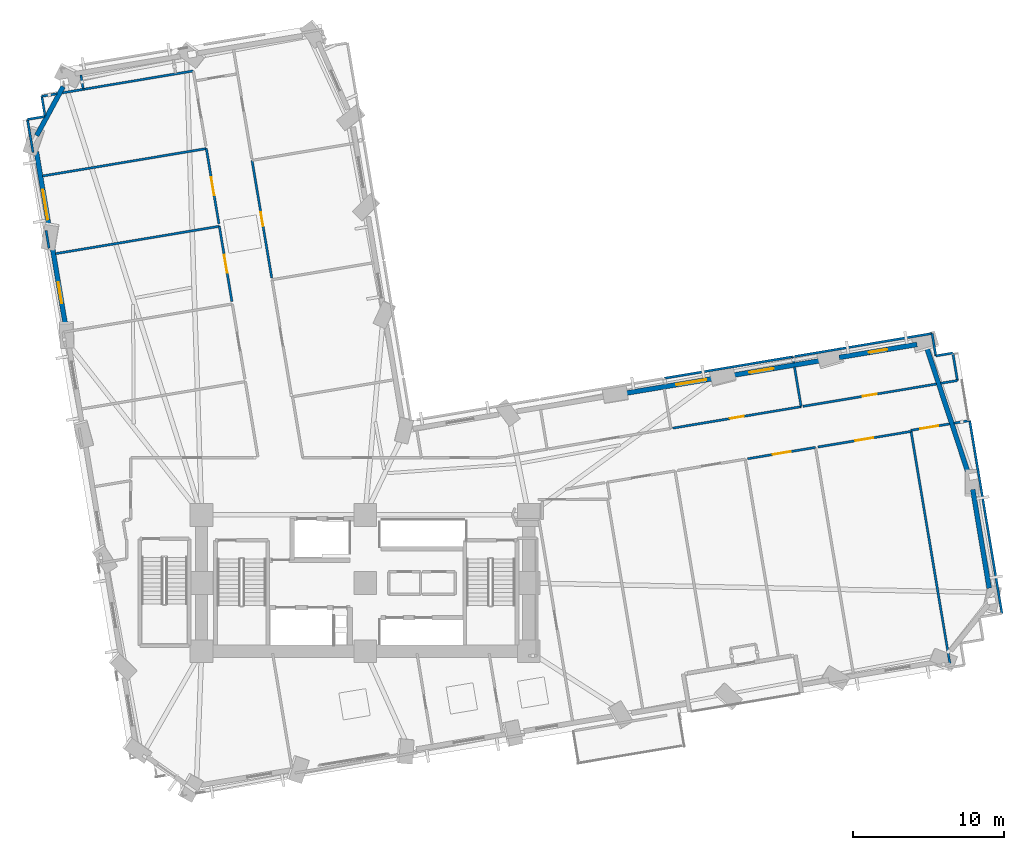
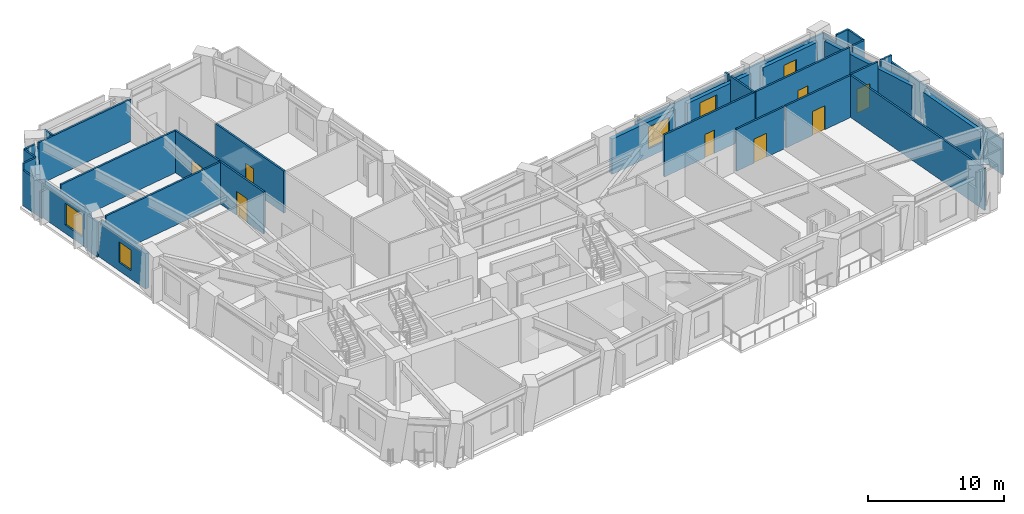
# One storey, part 11 of 16: 36 walls, 8 doors, 5 windows, 13 openings.
"""IFC4 building model written with IfcOpenShell, lengths in metres."""

from ifc_helpers import new_model, si_unit, direction, frame, frame_2d, origin, place, context, subcontext, project, spatial, rectangle, extrude, material, layer, layer_set, type_object, element, fill, save


model = new_model("IFC4")

# Units and contexts
model_context = context("Model", 3, precision=1e-05, world=origin(), true_north=direction((0.0, 1.0)))
body_context = subcontext(model_context, "Body", "Model", "MODEL_VIEW")
ifc_project = project(units=[si_unit("LENGTHUNIT", "METRE"), si_unit("AREAUNIT", "SQUARE_METRE"), si_unit("VOLUMEUNIT", "CUBIC_METRE"), si_unit("PLANEANGLEUNIT", "RADIAN"), si_unit("MASSUNIT", "GRAM", prefix="KILO")], contexts=[model_context])

# Site, building, storey
site_placement = place(None, origin())
site = spatial("IfcSite", under=ifc_project, at=site_placement, CompositionType="ELEMENT")
building_placement = place(site_placement, origin())
building = spatial("IfcBuilding", under=site, at=building_placement, Name="Gaonmaruhae Medical Tower", CompositionType="ELEMENT")
storey_placement = place(building_placement, frame((0.0, 0.0, 63.0)))
storey = spatial("IfcBuildingStorey", under=building, at=storey_placement, Name="L14", CompositionType="ELEMENT", Elevation=63.0)

# Walls
ifc_material_1 = material(Name="Precast concrete C45/55", Category="concrete")
ifc_layer_1 = layer(ifc_material_1, 0.320068359375)
ifc_layer_set_1 = layer_set([ifc_layer_1], Name="Precast concrete C45/55")
wall_type_1 = type_object("IfcWallType", Name="EW-320 Lower Precast Masonry-Frame Facade Wall", PredefinedType="SOLIDWALL", material=ifc_layer_set_1)
wall_1_placement = place(storey_placement, frame((64.922607421875, 18.47998046875, 0.0), z_axis=(0.0, 0.0, 1.0), x_axis=(0.165057772246, -0.986283900214, 0.0)))
element("IfcWall", 1, at=wall_1_placement, inside=storey, type_object=wall_type_1, Name="L14 Precast Masonry-Frame Wall E01-E02", PredefinedType="SOLIDWALL", context=body_context, shape_type="SweptSolid", body=[
    extrude(rectangle(XDim=6.610107421875, YDim=0.320068359375, at=frame_2d((3.30517578125, 0.0))), origin(), (0.0, 0.0, 1.0), 3.1650390625),
])
wall_2_placement = place(storey_placement, frame((61.90185546875, 27.791259765625, 0.0), z_axis=(0.0, 0.0, 1.0), x_axis=(0.313820376778, -0.949482370094, 0.0)))
element("IfcWall", 2, at=wall_2_placement, inside=storey, type_object=wall_type_1, Name="L14 Precast Masonry-Frame Wall E02-E03", PredefinedType="SOLIDWALL", context=body_context, shape_type="SweptSolid", body=[
    extrude(rectangle(XDim=8.613525390625, YDim=0.320068359375, at=frame_2d((4.306640625, 0.0))), origin(), (0.0, 0.0, 1.0), 3.1650390625),
])

# Wall, opening, window
wall_3_placement = place(storey_placement, frame((56.1025390625, 27.197021484375, 0.0), z_axis=(0.0, 0.0, 1.0), x_axis=(0.986289857367, 0.165022172011, 0.0)))
wall_3 = element("IfcWall", 3, at=wall_3_placement, inside=storey, type_object=wall_type_1, Name="L14 Precast Masonry-Frame Wall E03-EN01", PredefinedType="SOLIDWALL", context=body_context, shape_type="SweptSolid", body=[
    extrude(rectangle(XDim=5.209228515625, YDim=0.320068359375, at=frame_2d((2.6044921875, 0.0))), origin(), (0.0, 0.0, 1.0), 3.1650390625),
])
opening_1_placement = place(wall_3_placement, frame((2.000244140625, 0.0, 0.75)))
opening_1 = element("IfcOpeningElement", 4, at=opening_1_placement, cuts=wall_3, Name="Opening WN-05", PredefinedType="OPENING", context=body_context, shape_type="SweptSolid", body=[
    extrude(rectangle(XDim=1.199951171875, YDim=1.75, at=frame_2d((0.60009765625, 0.875))), frame((0.0, 0.169921875, 0.0), z_axis=(0.0, -1.0, 0.0), x_axis=(1.0, 0.0, 0.0)), (0.0, 0.0, 1.0), 0.340087890625),
])
ifc_material_2 = material(Name="Anodised aluminium and Low-E double glazing", Category="aluminium")
window_type_1 = type_object("IfcWindowType", Name="WN-05 Support & Staff Punched Window 1200x1750", PartitioningType="SINGLE_PANEL", PredefinedType="WINDOW", material=ifc_material_2)
window_1_placement = place(opening_1_placement, origin())
window_1 = element("IfcWindow", 5, at=window_1_placement, inside=storey, type_object=window_type_1, Name="L14 Modular Facade Window E03", OverallHeight=1.75, OverallWidth=1.199951171875, PartitioningType="SINGLE_PANEL", PredefinedType="WINDOW", context=body_context, shape_type="SweptSolid", body=[
    extrude(rectangle(XDim=1.199951171875, YDim=1.75, at=frame_2d((0.60009765625, 0.875))), frame((0.0, 0.030029296875, 0.0), z_axis=(0.0, -1.0, 0.0), x_axis=(1.0, 0.0, 0.0)), (0.0, 0.0, 1.0), 0.06005859375),
])
fill(opening_1, window_1)

wall_4_placement = place(storey_placement, frame((49.01708984375, 26.01123046875, 0.0), z_axis=(0.0, 0.0, 1.0), x_axis=(0.98628307528, 0.165062701468, 0.0)))
wall_4 = element("IfcWall", 6, at=wall_4_placement, inside=storey, type_object=wall_type_1, Name="L14 Precast Masonry-Frame Wall EN01-EN02", PredefinedType="SOLIDWALL", context=body_context, shape_type="SweptSolid", body=[
    extrude(rectangle(XDim=6.024169921875, YDim=0.320068359375, at=frame_2d((3.01220703125, 0.0))), origin(), (0.0, 0.0, 1.0), 3.1650390625),
])
opening_2_placement = place(wall_4_placement, frame((1.18310546875, 0.0, 0.75)))
opening_2 = element("IfcOpeningElement", 7, at=opening_2_placement, cuts=wall_4, Name="Opening WN-01", PredefinedType="OPENING", context=body_context, shape_type="SweptSolid", body=[
    extrude(rectangle(XDim=1.60009765625, YDim=1.949951171875, at=frame_2d((0.800048828125, 0.97509765625))), frame((0.0, 0.169921875, 0.0), z_axis=(0.0, -1.0, 0.0), x_axis=(1.0, 0.0, 0.0)), (0.0, 0.0, 1.0), 0.340087890625),
])
window_type_2 = type_object("IfcWindowType", Name="WN-01 Ward Punched Acoustic Window 1600x1950", PartitioningType="SINGLE_PANEL", PredefinedType="WINDOW", material=ifc_material_2)
window_2_placement = place(opening_2_placement, origin())
window_2 = element("IfcWindow", 8, at=window_2_placement, inside=storey, type_object=window_type_2, Name="L14 Modular Facade Window EN01", OverallHeight=1.949951171875, OverallWidth=1.60009765625, PartitioningType="SINGLE_PANEL", PredefinedType="WINDOW", context=body_context, shape_type="SweptSolid", body=[
    extrude(rectangle(XDim=1.60009765625, YDim=1.949951171875, at=frame_2d((0.800048828125, 0.97509765625))), frame((0.0, 0.030029296875, 0.0), z_axis=(0.0, -1.0, 0.0), x_axis=(1.0, 0.0, 0.0)), (0.0, 0.0, 1.0), 0.06005859375),
])
fill(opening_2, window_2)

wall_5_placement = place(storey_placement, frame((41.92529296875, 24.824462890625, 0.0), z_axis=(0.0, 0.0, 1.0), x_axis=(0.986285933786, 0.165045620407, 0.0)))
wall_5 = element("IfcWall", 9, at=wall_5_placement, inside=storey, type_object=wall_type_1, Name="L14 Precast Masonry-Frame Wall EN02-EN03", PredefinedType="SOLIDWALL", context=body_context, shape_type="SweptSolid", body=[
    extrude(rectangle(XDim=5.999755859375, YDim=0.320068359375, at=frame_2d((3.0, 0.0))), origin(), (0.0, 0.0, 1.0), 3.1650390625),
])
opening_3_placement = place(wall_5_placement, frame((3.482421875, 0.0, 0.75)))
opening_3 = element("IfcOpeningElement", 10, at=opening_3_placement, cuts=wall_5, Name="Opening WN-02", PredefinedType="OPENING", context=body_context, shape_type="SweptSolid", body=[
    extrude(rectangle(XDim=2.0, YDim=1.949951171875, at=frame_2d((1.0, 0.97509765625))), frame((0.0, 0.169921875, 0.0), z_axis=(0.0, -1.0, 0.0), x_axis=(1.0, 0.0, 0.0)), (0.0, 0.0, 1.0), 0.340087890625),
])
window_type_3 = type_object("IfcWindowType", Name="WN-02 Double-Bed Ward Punched Window 2000x1950", PartitioningType="SINGLE_PANEL", PredefinedType="WINDOW", material=ifc_material_2)
window_3_placement = place(opening_3_placement, origin())
window_3 = element("IfcWindow", 11, at=window_3_placement, inside=storey, type_object=window_type_3, Name="L14 Modular Facade Window EN02", OverallHeight=1.949951171875, OverallWidth=2.0, PartitioningType="SINGLE_PANEL", PredefinedType="WINDOW", context=body_context, shape_type="SweptSolid", body=[
    extrude(rectangle(XDim=2.0, YDim=1.949951171875, at=frame_2d((1.0, 0.97509765625))), frame((0.0, 0.030029296875, 0.0), z_axis=(0.0, -1.0, 0.0), x_axis=(1.0, 0.0, 0.0)), (0.0, 0.0, 1.0), 0.06005859375),
])
fill(opening_3, window_3)

# Wall
wall_6_placement = place(storey_placement, frame((3.113037109375, 41.85302734375, 0.0), z_axis=(0.0, 0.0, 1.0), x_axis=(0.476012817588, 0.879438342064, 0.0)))
element("IfcWall", 12, at=wall_6_placement, inside=storey, type_object=wall_type_1, Name="L14 Precast Masonry-Frame Wall N03-W01", PredefinedType="SOLIDWALL", context=body_context, shape_type="SweptSolid", body=[
    extrude(rectangle(XDim=3.666015625, YDim=0.320068359375, at=frame_2d((1.8330078125, 0.0))), origin(), (0.0, 0.0, 1.0), 3.1650390625),
])

# Wall, opening, window
wall_7_placement = place(storey_placement, frame((3.957275390625, 35.622314453125, 0.0), z_axis=(0.0, 0.0, 1.0), x_axis=(-0.165050831886, 0.98628506168, 0.0)))
wall_7 = element("IfcWall", 13, at=wall_7_placement, inside=storey, type_object=wall_type_1, Name="L14 Precast Masonry-Frame Wall W01-W02", PredefinedType="SOLIDWALL", context=body_context, shape_type="SweptSolid", body=[
    extrude(rectangle(XDim=5.222900390625, YDim=0.320068359375, at=frame_2d((2.611328125, 0.0))), origin(), (0.0, 0.0, 1.0), 3.1650390625),
])
opening_4_placement = place(wall_7_placement, frame((0.689697265625, 0.0, 0.75)))
opening_4 = element("IfcOpeningElement", 14, at=opening_4_placement, cuts=wall_7, Name="Opening WN-02", PredefinedType="OPENING", context=body_context, shape_type="SweptSolid", body=[
    extrude(rectangle(XDim=2.0, YDim=1.949951171875, at=frame_2d((1.0, 0.97509765625))), frame((0.0, 0.169921875, 0.0), z_axis=(0.0, -1.0, 0.0), x_axis=(1.0, 0.0, 0.0)), (0.0, 0.0, 1.0), 0.340087890625),
])
window_4_placement = place(opening_4_placement, origin())
window_4 = element("IfcWindow", 15, at=window_4_placement, inside=storey, type_object=window_type_3, Name="L14 Modular Facade Window W01", OverallHeight=1.949951171875, OverallWidth=2.0, PartitioningType="SINGLE_PANEL", PredefinedType="WINDOW", context=body_context, shape_type="SweptSolid", body=[
    extrude(rectangle(XDim=2.0, YDim=1.949951171875, at=frame_2d((1.0, 0.97509765625))), frame((0.0, 0.030029296875, 0.0), z_axis=(0.0, -1.0, 0.0), x_axis=(1.0, 0.0, 0.0)), (0.0, 0.0, 1.0), 0.06005859375),
])
fill(opening_4, window_4)

wall_8_placement = place(storey_placement, frame((5.044921875, 29.1220703125, 0.0), z_axis=(0.0, 0.0, 1.0), x_axis=(-0.165007424724, 0.986292324712, 0.0)))
wall_8 = element("IfcWall", 16, at=wall_8_placement, inside=storey, type_object=wall_type_1, Name="L14 Precast Masonry-Frame Wall W02-W03", PredefinedType="SOLIDWALL", context=body_context, shape_type="SweptSolid", body=[
    extrude(rectangle(XDim=5.400390625, YDim=0.320068359375, at=frame_2d((2.7001953125, 0.0))), origin(), (0.0, 0.0, 1.0), 3.1650390625),
])
opening_5_placement = place(wall_8_placement, frame((1.68310546875, 0.0, 0.75)))
opening_5 = element("IfcOpeningElement", 17, at=opening_5_placement, cuts=wall_8, Name="Opening WN-03", PredefinedType="OPENING", context=body_context, shape_type="SweptSolid", body=[
    extrude(rectangle(XDim=1.39990234375, YDim=1.85009765625, at=frame_2d((0.699951171875, 0.925048828125))), frame((0.0, 0.169921875, 0.0), z_axis=(0.0, -1.0, 0.0), x_axis=(1.0, 0.0, 0.0)), (0.0, 0.0, 1.0), 0.340087890625),
])
window_type_4 = type_object("IfcWindowType", Name="WN-03 Isolation Ward Punched Window 1400x1850", PartitioningType="SINGLE_PANEL", PredefinedType="WINDOW", material=ifc_material_2)
window_5_placement = place(opening_5_placement, origin())
window_5 = element("IfcWindow", 18, at=window_5_placement, inside=storey, type_object=window_type_4, Name="L14 Modular Facade Window W02", OverallHeight=1.85009765625, OverallWidth=1.39990234375, PartitioningType="SINGLE_PANEL", PredefinedType="WINDOW", context=body_context, shape_type="SweptSolid", body=[
    extrude(rectangle(XDim=1.39990234375, YDim=1.85009765625, at=frame_2d((0.699951171875, 0.925048828125))), frame((0.0, 0.030029296875, 0.0), z_axis=(0.0, -1.0, 0.0), x_axis=(1.0, 0.0, 0.0)), (0.0, 0.0, 1.0), 0.06005859375),
])
fill(opening_5, window_5)

# Wall, opening, door
ifc_material_3 = material(Name="Gypsum board partition", Category="gypsum")
ifc_layer_2 = layer(ifc_material_3, 0.14990234375)
ifc_layer_set_2 = layer_set([ifc_layer_2], Name="Gypsum board partition")
wall_type_2 = type_object("IfcWallType", Name="PW-150 Rated Clinical Corridor Partition", PredefinedType="PARTITIONING", material=ifc_layer_set_2)
wall_9_placement = place(storey_placement, frame((50.05908203125, 20.508056640625, 0.0), z_axis=(0.0, 0.0, 1.0), x_axis=(0.98629783717, 0.164974471946, 0.0)))
wall_9 = element("IfcWall", 19, at=wall_9_placement, inside=storey, type_object=wall_type_2, Name="L14 Interior Partition L14-SUP10-35", PredefinedType="PARTITIONING", context=body_context, shape_type="SweptSolid", body=[
    extrude(rectangle(XDim=4.540283203125, YDim=0.14990234375, at=frame_2d((2.27001953125, 0.0))), origin(), (0.0, 0.0, 1.0), 3.780029296875),
])
opening_6_placement = place(wall_9_placement, frame((1.670166015625, 0.0, 0.0)))
opening_6 = element("IfcOpeningElement", 20, at=opening_6_placement, cuts=wall_9, Name="Opening CD-02", PredefinedType="OPENING", context=body_context, shape_type="SweptSolid", body=[
    extrude(rectangle(XDim=1.199951171875, YDim=2.14990234375, at=frame_2d((0.60009765625, 1.074951171875))), frame((0.0, 0.0849609375, 0.0), z_axis=(0.0, -1.0, 0.0), x_axis=(1.0, 0.0, 0.0)), (0.0, 0.0, 1.0), 0.169921875),
])
ifc_material_4 = material(Name="Antimicrobial laminate timber fire door", Category="wood")
door_type_1 = type_object("IfcDoorType", Name="CD-02 Clinical Treatment & Procedure Door 1200x2150", OperationType="NOTDEFINED", PredefinedType="DOOR", material=ifc_material_4)
door_1_placement = place(opening_6_placement, origin())
door_1 = element("IfcDoor", 21, at=door_1_placement, inside=storey, type_object=door_type_1, Name="L14 Clinical Biomedical Charting Office Door", OperationType="SINGLE_SWING_RIGHT", OverallHeight=2.14990234375, OverallWidth=1.199951171875, PredefinedType="DOOR", context=body_context, shape_type="SweptSolid", body=[
    extrude(rectangle(XDim=1.199951171875, YDim=2.14990234375, at=frame_2d((0.60009765625, 1.074951171875))), frame((0.0, 0.02490234375, 0.0), z_axis=(0.0, -1.0, 0.0), x_axis=(1.0, 0.0, 0.0)), (0.0, 0.0, 1.0), 0.050048828125),
])
fill(opening_6, door_1)

wall_10_placement = place(storey_placement, frame((54.695068359375, 21.282958984375, 0.0), z_axis=(0.0, 0.0, 1.0), x_axis=(0.986280538422, 0.165077858992, 0.0)))
wall_10 = element("IfcWall", 22, at=wall_10_placement, inside=storey, type_object=wall_type_2, Name="L14 Interior Partition L14-SUP11-38", PredefinedType="PARTITIONING", context=body_context, shape_type="SweptSolid", body=[
    extrude(rectangle(XDim=6.23974609375, YDim=0.14990234375, at=frame_2d((3.119873046875, 0.0))), origin(), (0.0, 0.0, 1.0), 3.780029296875),
])
opening_7_placement = place(wall_10_placement, frame((2.519775390625, 0.0, 0.0)))
opening_7 = element("IfcOpeningElement", 23, at=opening_7_placement, cuts=wall_10, Name="Opening CD-02", PredefinedType="OPENING", context=body_context, shape_type="SweptSolid", body=[
    extrude(rectangle(XDim=1.199951171875, YDim=2.14990234375, at=frame_2d((0.60009765625, 1.074951171875))), frame((0.0, 0.0849609375, 0.0), z_axis=(0.0, -1.0, 0.0), x_axis=(1.0, 0.0, 0.0)), (0.0, 0.0, 1.0), 0.169921875),
])
door_2_placement = place(opening_7_placement, origin())
door_2 = element("IfcDoor", 24, at=door_2_placement, inside=storey, type_object=door_type_1, Name="L14 Clinical Biomedical Charting Office Door", OperationType="SINGLE_SWING_LEFT", OverallHeight=2.14990234375, OverallWidth=1.199951171875, PredefinedType="DOOR", context=body_context, shape_type="SweptSolid", body=[
    extrude(rectangle(XDim=1.199951171875, YDim=2.14990234375, at=frame_2d((0.60009765625, 1.074951171875))), frame((0.0, 0.02490234375, 0.0), z_axis=(0.0, -1.0, 0.0), x_axis=(1.0, 0.0, 0.0)), (0.0, 0.0, 1.0), 0.050048828125),
])
fill(opening_7, door_2)

# Walls
wall_11_placement = place(storey_placement, frame((60.84912109375, 22.31298828125, 0.0), z_axis=(0.0, 0.0, 1.0), x_axis=(0.1650362801, -0.986287496753, 0.0)))
element("IfcWall", 25, at=wall_11_placement, inside=storey, type_object=wall_type_2, Name="L14 Interior Partition L14-SUP11-39", PredefinedType="PARTITIONING", context=body_context, shape_type="SweptSolid", body=[
    extrude(rectangle(XDim=15.52978515625, YDim=0.14990234375, at=frame_2d((7.764892578125, 0.0))), origin(), (0.0, 0.0, 1.0), 3.780029296875),
])
wall_12_placement = place(storey_placement, frame((4.35693359375, 34.050048828125, 0.0), z_axis=(0.0, 0.0, 1.0), x_axis=(0.986282376627, 0.165066876009, 0.0)))
element("IfcWall", 26, at=wall_12_placement, inside=storey, type_object=wall_type_2, Name="L14 Interior Partition L14-WOF15-56", PredefinedType="PARTITIONING", context=body_context, shape_type="SweptSolid", body=[
    extrude(rectangle(XDim=10.965576171875, YDim=0.14990234375, at=frame_2d((5.48291015625, 0.0))), origin(), (0.0, 0.0, 1.0), 3.780029296875),
])

# Wall, opening, door
wall_13_placement = place(storey_placement, frame((15.172119140625, 35.860107421875, 0.0), z_axis=(0.0, 0.0, 1.0), x_axis=(0.165027335267, -0.986288993457, 0.0)))
wall_13 = element("IfcWall", 27, at=wall_13_placement, inside=storey, type_object=wall_type_2, Name="L14 Interior Partition L14-WOF15-57", PredefinedType="PARTITIONING", context=body_context, shape_type="SweptSolid", body=[
    extrude(rectangle(XDim=5.040283203125, YDim=0.14990234375, at=frame_2d((2.52001953125, 0.0))), origin(), (0.0, 0.0, 1.0), 3.780029296875),
])
opening_8_placement = place(wall_13_placement, frame((1.920166015625, 0.0, 0.0)))
opening_8 = element("IfcOpeningElement", 28, at=opening_8_placement, cuts=wall_13, Name="Opening CD-02", PredefinedType="OPENING", context=body_context, shape_type="SweptSolid", body=[
    extrude(rectangle(XDim=1.199951171875, YDim=2.14990234375, at=frame_2d((0.60009765625, 1.074951171875))), frame((0.0, 0.0849609375, 0.0), z_axis=(0.0, -1.0, 0.0), x_axis=(1.0, 0.0, 0.0)), (0.0, 0.0, 1.0), 0.169921875),
])
door_3_placement = place(opening_8_placement, origin())
door_3 = element("IfcDoor", 29, at=door_3_placement, inside=storey, type_object=door_type_1, Name="L14 Ward Physician Reporting Office Door", OperationType="SINGLE_SWING_RIGHT", OverallHeight=2.14990234375, OverallWidth=1.199951171875, PredefinedType="DOOR", context=body_context, shape_type="SweptSolid", body=[
    extrude(rectangle(XDim=1.199951171875, YDim=2.14990234375, at=frame_2d((0.60009765625, 1.074951171875))), frame((0.0, 0.02490234375, 0.0), z_axis=(0.0, -1.0, 0.0), x_axis=(1.0, 0.0, 0.0)), (0.0, 0.0, 1.0), 0.050048828125),
])
fill(opening_8, door_3)

# Wall
wall_14_placement = place(storey_placement, frame((3.4990234375, 39.178955078125, 0.0), z_axis=(0.0, 0.0, 1.0), x_axis=(0.986281769972, 0.165070500758, 0.0)))
element("IfcWall", 30, at=wall_14_placement, inside=storey, type_object=wall_type_2, Name="L14 Interior Partition L14-WOF16-58", PredefinedType="PARTITIONING", context=body_context, shape_type="SweptSolid", body=[
    extrude(rectangle(XDim=10.96533203125, YDim=0.14990234375, at=frame_2d((5.482666015625, 0.0))), origin(), (0.0, 0.0, 1.0), 3.780029296875),
])

# Wall, opening, door
wall_15_placement = place(storey_placement, frame((14.31396484375, 40.989013671875, 0.0), z_axis=(0.0, 0.0, 1.0), x_axis=(0.16489385241, -0.986311318721, 0.0)))
wall_15 = element("IfcWall", 31, at=wall_15_placement, inside=storey, type_object=wall_type_2, Name="L14 Interior Partition L14-WOF16-59", PredefinedType="PARTITIONING", context=body_context, shape_type="SweptSolid", body=[
    extrude(rectangle(XDim=5.0400390625, YDim=0.14990234375, at=frame_2d((2.52001953125, 0.0))), origin(), (0.0, 0.0, 1.0), 3.780029296875),
])
opening_9_placement = place(wall_15_placement, frame((1.919921875, 0.0, 0.0)))
opening_9 = element("IfcOpeningElement", 32, at=opening_9_placement, cuts=wall_15, Name="Opening CD-02", PredefinedType="OPENING", context=body_context, shape_type="SweptSolid", body=[
    extrude(rectangle(XDim=1.199951171875, YDim=2.14990234375, at=frame_2d((0.60009765625, 1.074951171875))), frame((0.0, 0.0849609375, 0.0), z_axis=(0.0, -1.0, 0.0), x_axis=(1.0, 0.0, 0.0)), (0.0, 0.0, 1.0), 0.169921875),
])
door_4_placement = place(opening_9_placement, origin())
door_4 = element("IfcDoor", 33, at=door_4_placement, inside=storey, type_object=door_type_1, Name="L14 Ward Physician Reporting Office Door", OperationType="SINGLE_SWING_RIGHT", OverallHeight=2.14990234375, OverallWidth=1.199951171875, PredefinedType="DOOR", context=body_context, shape_type="SweptSolid", body=[
    extrude(rectangle(XDim=1.199951171875, YDim=2.14990234375, at=frame_2d((0.60009765625, 1.074951171875))), frame((0.0, 0.02490234375, 0.0), z_axis=(0.0, -1.0, 0.0), x_axis=(1.0, 0.0, 0.0)), (0.0, 0.0, 1.0), 0.050048828125),
])
fill(opening_9, door_4)

# Walls
wall_16_placement = place(storey_placement, frame((3.927001953125, 34.410888671875, 0.0), z_axis=(0.0, 0.0, 1.0), x_axis=(-0.164831702555, 0.986321707068, 0.0)))
element("IfcWall", 34, at=wall_16_placement, inside=storey, type_object=wall_type_2, Name="L14 Interior Partition L14-WOF16-60", PredefinedType="PARTITIONING", context=body_context, shape_type="SweptSolid", body=[
    extrude(rectangle(XDim=1.189453125, YDim=0.14990234375, at=frame_2d((0.5947265625, 0.0))), origin(), (0.0, 0.0, 1.0), 3.1650390625),
])
wall_17_placement = place(storey_placement, frame((3.445068359375, 44.44189453125, 0.0), z_axis=(0.0, 0.0, 1.0), x_axis=(0.986173301346, 0.165717288514, 0.0)))
element("IfcWall", 35, at=wall_17_placement, inside=storey, type_object=wall_type_2, Name="L14 Interior Partition L14-WOF17-61", PredefinedType="PARTITIONING", context=body_context, shape_type="SweptSolid", body=[
    extrude(rectangle(XDim=1.02099609375, YDim=0.14990234375, at=frame_2d((0.510498046875, 0.0))), origin(), (0.0, 0.0, 1.0), 3.780029296875),
])
wall_18_placement = place(storey_placement, frame((4.7900390625, 44.6669921875, 0.0), z_axis=(0.0, 0.0, 1.0), x_axis=(0.986268967524, 0.165146976051, 0.0)))
element("IfcWall", 36, at=wall_18_placement, inside=storey, type_object=wall_type_2, Name="L14 Interior Partition L14-WOF17-62", PredefinedType="PARTITIONING", context=body_context, shape_type="SweptSolid", body=[
    extrude(rectangle(XDim=8.78564453125, YDim=0.14990234375, at=frame_2d((4.392822265625, 0.0))), origin(), (0.0, 0.0, 1.0), 3.780029296875),
])
wall_19_placement = place(storey_placement, frame((2.868896484375, 40.736083984375, 0.0), z_axis=(0.0, 0.0, 1.0), x_axis=(-0.165133332046, 0.986271252064, 0.0)))
element("IfcWall", 37, at=wall_19_placement, inside=storey, type_object=wall_type_2, Name="L14 Interior Partition L14-WOF17-64", PredefinedType="PARTITIONING", context=body_context, shape_type="SweptSolid", body=[
    extrude(rectangle(XDim=2.210205078125, YDim=0.14990234375, at=frame_2d((1.10498046875, 0.0))), origin(), (0.0, 0.0, 1.0), 3.1650390625),
])
wall_20_placement = place(storey_placement, frame((2.50390625, 42.916015625, 0.0), z_axis=(0.0, 0.0, 1.0), x_axis=(0.986261618519, 0.165190858818, 0.0)))
element("IfcWall", 38, at=wall_20_placement, inside=storey, type_object=wall_type_2, Name="L14 Interior Partition L14-WOF17-65", PredefinedType="PARTITIONING", context=body_context, shape_type="SweptSolid", body=[
    extrude(rectangle(XDim=1.14990234375, YDim=0.14990234375, at=frame_2d((0.574951171875, 0.0))), origin(), (0.0, 0.0, 1.0), 3.780029296875),
])
wall_21_placement = place(storey_placement, frame((3.660888671875, 43.14892578125, 0.0), z_axis=(0.0, 0.0, 1.0), x_axis=(-0.164640597534, 0.986353625047, 0.0)))
element("IfcWall", 39, at=wall_21_placement, inside=storey, type_object=wall_type_2, Name="L14 Interior Partition L14-WOF17-66", PredefinedType="PARTITIONING", context=body_context, shape_type="SweptSolid", body=[
    extrude(rectangle(XDim=1.310791015625, YDim=0.14990234375, at=frame_2d((0.6552734375, 0.0))), origin(), (0.0, 0.0, 1.0), 3.780029296875),
])

# Wall, opening, door
wall_22_placement = place(storey_placement, frame((53.591064453125, 23.947998046875, 0.0), z_axis=(0.0, 0.0, 1.0), x_axis=(-0.986276285111, -0.165103268981, 0.0)))
wall_22 = element("IfcWall", 40, at=wall_22_placement, inside=storey, type_object=wall_type_2, Name="L14 Interior Partition L14-IE04-79", PredefinedType="PARTITIONING", context=body_context, shape_type="SweptSolid", body=[
    extrude(rectangle(XDim=8.60009765625, YDim=0.14990234375, at=frame_2d((4.300048828125, 0.0))), origin(), (0.0, 0.0, 1.0), 3.780029296875),
])
opening_10_placement = place(wall_22_placement, frame((3.840087890625, 0.0, 0.0)))
opening_10 = element("IfcOpeningElement", 41, at=opening_10_placement, cuts=wall_22, Name="Opening UD-01", PredefinedType="OPENING", context=body_context, shape_type="SweptSolid", body=[
    extrude(rectangle(XDim=0.919921875, YDim=2.10009765625, at=frame_2d((0.4599609375, 1.050048828125))), frame((0.0, 0.0849609375, 0.0), z_axis=(0.0, -1.0, 0.0), x_axis=(1.0, 0.0, 0.0)), (0.0, 0.0, 1.0), 0.169921875),
])
ifc_material_5 = material(Name="Powder-coated steel utility door", Category="steel")
door_type_2 = type_object("IfcDoorType", Name="UD-01 Toilet, Utility & Housekeeping Door 920x2100", OperationType="NOTDEFINED", PredefinedType="DOOR", material=ifc_material_5)
door_5_placement = place(opening_10_placement, origin())
door_5 = element("IfcDoor", 42, at=door_5_placement, inside=storey, type_object=door_type_2, Name="L14 Accessible Public Toilet Door", OperationType="SINGLE_SWING_LEFT", OverallHeight=2.10009765625, OverallWidth=0.919921875, PredefinedType="DOOR", context=body_context, shape_type="SweptSolid", body=[
    extrude(rectangle(XDim=0.919921875, YDim=2.10009765625, at=frame_2d((0.4599609375, 1.050048828125))), frame((0.0, 0.02490234375, 0.0), z_axis=(0.0, -1.0, 0.0), x_axis=(1.0, 0.0, 0.0)), (0.0, 0.0, 1.0), 0.050048828125),
])
fill(opening_10, door_5)

# Walls
wall_23_placement = place(storey_placement, frame((44.55810546875, 25.822998046875, 0.0), z_axis=(0.0, 0.0, 1.0), x_axis=(0.986293996802, 0.164997429895, 0.0)))
element("IfcWall", 43, at=wall_23_placement, inside=storey, type_object=wall_type_2, Name="L14 Interior Partition L14-IE04-81", PredefinedType="PARTITIONING", context=body_context, shape_type="SweptSolid", body=[
    extrude(rectangle(XDim=8.599853515625, YDim=0.14990234375, at=frame_2d((4.2998046875, 0.0))), origin(), (0.0, 0.0, 1.0), 3.1650390625),
])
wall_24_placement = place(storey_placement, frame((53.0400390625, 27.241943359375, 0.0), z_axis=(0.0, 0.0, 1.0), x_axis=(0.163730402307, -0.986505121812, 0.0)))
element("IfcWall", 44, at=wall_24_placement, inside=storey, type_object=wall_type_2, Name="L14 Interior Partition L14-IE04-82", PredefinedType="PARTITIONING", context=body_context, shape_type="SweptSolid", body=[
    extrude(rectangle(XDim=0.41455078125, YDim=0.14990234375, at=frame_2d((0.207275390625, 0.0))), origin(), (0.0, 0.0, 1.0), 3.780029296875),
])
wall_25_placement = place(storey_placement, frame((53.153076171875, 26.56591796875, 0.0), z_axis=(0.0, 0.0, 1.0), x_axis=(0.165010492381, -0.986291811486, 0.0)))
element("IfcWall", 45, at=wall_25_placement, inside=storey, type_object=wall_type_2, Name="L14 Interior Partition L14-IE04-83", PredefinedType="PARTITIONING", context=body_context, shape_type="SweptSolid", body=[
    extrude(rectangle(XDim=2.654296875, YDim=0.14990234375, at=frame_2d((1.3271484375, 0.0))), origin(), (0.0, 0.0, 1.0), 3.780029296875),
])
wall_26_placement = place(storey_placement, frame((62.48291015625, 27.301025390625, 0.0), z_axis=(0.0, 0.0, 1.0), x_axis=(0.98618490097, 0.165648245085, 0.0)))
element("IfcWall", 46, at=wall_26_placement, inside=storey, type_object=wall_type_2, Name="L14 Interior Partition L14-IE05-84", PredefinedType="PARTITIONING", context=body_context, shape_type="SweptSolid", body=[
    extrude(rectangle(XDim=1.140869140625, YDim=0.14990234375, at=frame_2d((0.5703125, 0.0))), origin(), (0.0, 0.0, 1.0), 3.780029296875),
])
wall_27_placement = place(storey_placement, frame((63.60791015625, 27.489990234375, 0.0), z_axis=(0.0, 0.0, 1.0), x_axis=(0.164657171807, -0.986350858352, 0.0)))
element("IfcWall", 47, at=wall_27_placement, inside=storey, type_object=wall_type_2, Name="L14 Interior Partition L14-IE05-85", PredefinedType="PARTITIONING", context=body_context, shape_type="SweptSolid", body=[
    extrude(rectangle(XDim=1.840087890625, YDim=0.14990234375, at=frame_2d((0.919921875, 0.0))), origin(), (0.0, 0.0, 1.0), 3.780029296875),
])
wall_28_placement = place(storey_placement, frame((63.910888671875, 25.675048828125, 0.0), z_axis=(0.0, 0.0, 1.0), x_axis=(-0.986287799528, -0.165034470649, 0.0)))
element("IfcWall", 48, at=wall_28_placement, inside=storey, type_object=wall_type_2, Name="L14 Interior Partition L14-IE05-86", PredefinedType="PARTITIONING", context=body_context, shape_type="SweptSolid", body=[
    extrude(rectangle(XDim=1.121337890625, YDim=0.14990234375, at=frame_2d((0.560546875, 0.0))), origin(), (0.0, 0.0, 1.0), 3.780029296875),
])

# Wall, opening, door
wall_29_placement = place(storey_placement, frame((62.534912109375, 25.445068359375, 0.0), z_axis=(0.0, 0.0, 1.0), x_axis=(-0.986283836846, -0.165058150893, 0.0)))
wall_29 = element("IfcWall", 49, at=wall_29_placement, inside=storey, type_object=wall_type_2, Name="L14 Interior Partition L14-IE05-87", PredefinedType="PARTITIONING", context=body_context, shape_type="SweptSolid", body=[
    extrude(rectangle(XDim=8.94873046875, YDim=0.14990234375, at=frame_2d((4.474365234375, 0.0))), origin(), (0.0, 0.0, 1.0), 3.780029296875),
])
opening_11_placement = place(wall_29_placement, frame((4.014404296875, 0.0, 0.0)))
opening_11 = element("IfcOpeningElement", 50, at=opening_11_placement, cuts=wall_29, Name="Opening UD-01", PredefinedType="OPENING", context=body_context, shape_type="SweptSolid", body=[
    extrude(rectangle(XDim=0.919921875, YDim=2.10009765625, at=frame_2d((0.4599609375, 1.050048828125))), frame((0.0, 0.0849609375, 0.0), z_axis=(0.0, -1.0, 0.0), x_axis=(1.0, 0.0, 0.0)), (0.0, 0.0, 1.0), 0.169921875),
])
door_6_placement = place(opening_11_placement, origin())
door_6 = element("IfcDoor", 51, at=door_6_placement, inside=storey, type_object=door_type_2, Name="L14 Ward Housekeeping and Linen Store Door", OperationType="SINGLE_SWING_RIGHT", OverallHeight=2.10009765625, OverallWidth=0.919921875, PredefinedType="DOOR", context=body_context, shape_type="SweptSolid", body=[
    extrude(rectangle(XDim=0.919921875, YDim=2.10009765625, at=frame_2d((0.4599609375, 1.050048828125))), frame((0.0, 0.02490234375, 0.0), z_axis=(0.0, -1.0, 0.0), x_axis=(1.0, 0.0, 0.0)), (0.0, 0.0, 1.0), 0.050048828125),
])
fill(opening_11, door_6)

# Walls
wall_30_placement = place(storey_placement, frame((53.157958984375, 27.261962890625, 0.0), z_axis=(0.0, 0.0, 1.0), x_axis=(0.986287620349, 0.165035541464, 0.0)))
element("IfcWall", 52, at=wall_30_placement, inside=storey, type_object=wall_type_2, Name="L14 Interior Partition L14-IE05-88", PredefinedType="PARTITIONING", context=body_context, shape_type="SweptSolid", body=[
    extrude(rectangle(XDim=9.204345703125, YDim=0.14990234375, at=frame_2d((4.60205078125, 0.0))), origin(), (0.0, 0.0, 1.0), 3.1650390625),
])
wall_31_placement = place(storey_placement, frame((62.236083984375, 28.781005859375, 0.0), z_axis=(0.0, 0.0, 1.0), x_axis=(0.164504531015, -0.98637632741, 0.0)))
element("IfcWall", 53, at=wall_31_placement, inside=storey, type_object=wall_type_2, Name="L14 Interior Partition L14-IE05-89", PredefinedType="PARTITIONING", context=body_context, shape_type="SweptSolid", body=[
    extrude(rectangle(XDim=1.50048828125, YDim=0.14990234375, at=frame_2d((0.750244140625, 0.0))), origin(), (0.0, 0.0, 1.0), 3.1650390625),
])

# Wall, opening, door
wall_32_placement = place(storey_placement, frame((18.632080078125, 32.449951171875, 0.0), z_axis=(0.0, 0.0, 1.0), x_axis=(-0.165068018391, 0.986282185434, 0.0)))
wall_32 = element("IfcWall", 54, at=wall_32_placement, inside=storey, type_object=wall_type_2, Name="L14 Interior Partition L14-IN02-93", PredefinedType="PARTITIONING", context=body_context, shape_type="SweptSolid", body=[
    extrude(rectangle(XDim=7.869873046875, YDim=0.14990234375, at=frame_2d((3.93505859375, 0.0))), origin(), (0.0, 0.0, 1.0), 3.780029296875),
])
opening_12_placement = place(wall_32_placement, frame((3.47509765625, 0.0, 0.0)))
opening_12 = element("IfcOpeningElement", 55, at=opening_12_placement, cuts=wall_32, Name="Opening UD-01", PredefinedType="OPENING", context=body_context, shape_type="SweptSolid", body=[
    extrude(rectangle(XDim=0.919921875, YDim=2.10009765625, at=frame_2d((0.4599609375, 1.050048828125))), frame((0.0, 0.0849609375, 0.0), z_axis=(0.0, -1.0, 0.0), x_axis=(1.0, 0.0, 0.0)), (0.0, 0.0, 1.0), 0.169921875),
])
door_7_placement = place(opening_12_placement, origin())
door_7 = element("IfcDoor", 56, at=door_7_placement, inside=storey, type_object=door_type_2, Name="L14 Ward Nutrition Pantry Door", OperationType="SINGLE_SWING_RIGHT", OverallHeight=2.10009765625, OverallWidth=0.919921875, PredefinedType="DOOR", context=body_context, shape_type="SweptSolid", body=[
    extrude(rectangle(XDim=0.919921875, YDim=2.10009765625, at=frame_2d((0.4599609375, 1.050048828125))), frame((0.0, 0.02490234375, 0.0), z_axis=(0.0, -1.0, 0.0), x_axis=(1.0, 0.0, 0.0)), (0.0, 0.0, 1.0), 0.050048828125),
])
fill(opening_12, door_7)

# Wall
wall_33_placement = place(storey_placement, frame((6.18310546875, 44.9208984375, 0.0), z_axis=(0.0, 0.0, 1.0), x_axis=(-0.165069196057, 0.986281988335, 0.0)))
element("IfcWall", 57, at=wall_33_placement, inside=storey, type_object=wall_type_2, Name="L14 Interior Partition L14-RM01-104", PredefinedType="PARTITIONING", context=body_context, shape_type="SweptSolid", body=[
    extrude(rectangle(XDim=0.945068359375, YDim=0.14990234375, at=frame_2d((0.47265625, 0.0))), origin(), (0.0, 0.0, 1.0), 3.780029296875),
])

# Wall, opening, door
wall_34_placement = place(storey_placement, frame((60.8369140625, 22.383056640625, 0.0), z_axis=(0.0, 0.0, 1.0), x_axis=(0.98633557421, 0.164748702718, 0.0)))
wall_34 = element("IfcWall", 58, at=wall_34_placement, inside=storey, type_object=wall_type_2, Name="L14 Interior Partition L14-RM04-113", PredefinedType="PARTITIONING", context=body_context, shape_type="SweptSolid", body=[
    extrude(rectangle(XDim=2.603759765625, YDim=0.14990234375, at=frame_2d((1.3017578125, 0.0))), origin(), (0.0, 0.0, 1.0), 3.780029296875),
])
opening_13_placement = place(wall_34_placement, frame((0.6259765625, 0.0, 0.0)))
opening_13 = element("IfcOpeningElement", 59, at=opening_13_placement, cuts=wall_34, Name="Opening CD-02", PredefinedType="OPENING", context=body_context, shape_type="SweptSolid", body=[
    extrude(rectangle(XDim=1.199951171875, YDim=2.14990234375, at=frame_2d((0.60009765625, 1.074951171875))), frame((0.0, 0.0849609375, 0.0), z_axis=(0.0, -1.0, 0.0), x_axis=(1.0, 0.0, 0.0)), (0.0, 0.0, 1.0), 0.169921875),
])
door_8_placement = place(opening_13_placement, origin())
door_8 = element("IfcDoor", 60, at=door_8_placement, inside=storey, type_object=door_type_1, Name="L14 Clinical Records Office Door", OperationType="SINGLE_SWING_RIGHT", OverallHeight=2.14990234375, OverallWidth=1.199951171875, PredefinedType="DOOR", context=body_context, shape_type="SweptSolid", body=[
    extrude(rectangle(XDim=1.199951171875, YDim=2.14990234375, at=frame_2d((0.60009765625, 1.074951171875))), frame((0.0, 0.02490234375, 0.0), z_axis=(0.0, -1.0, 0.0), x_axis=(1.0, 0.0, 0.0)), (0.0, 0.0, 1.0), 0.050048828125),
])
fill(opening_13, door_8)

# Walls
wall_35_placement = place(storey_placement, frame((63.675048828125, 22.85693359375, 0.0), z_axis=(0.0, 0.0, 1.0), x_axis=(0.986231370716, 0.165371350047, 0.0)))
element("IfcWall", 61, at=wall_35_placement, inside=storey, type_object=wall_type_2, Name="L14 Interior Partition L14-RM04-114", PredefinedType="PARTITIONING", context=body_context, shape_type="SweptSolid", body=[
    extrude(rectangle(XDim=1.05859375, YDim=0.14990234375, at=frame_2d((0.529296875, 0.0))), origin(), (0.0, 0.0, 1.0), 3.780029296875),
])
wall_36_placement = place(storey_placement, frame((64.718994140625, 23.031982421875, 0.0), z_axis=(0.0, 0.0, 1.0), x_axis=(0.165020998917, -0.986290053644, 0.0)))
element("IfcWall", 62, at=wall_36_placement, inside=storey, type_object=wall_type_2, Name="L14 Interior Partition L14-RM04-115", PredefinedType="PARTITIONING", context=body_context, shape_type="SweptSolid", body=[
    extrude(rectangle(XDim=12.920166015625, YDim=0.14990234375, at=frame_2d((6.4599609375, 0.0))), origin(), (0.0, 0.0, 1.0), 3.1650390625),
])

save(model, "model.ifc")
